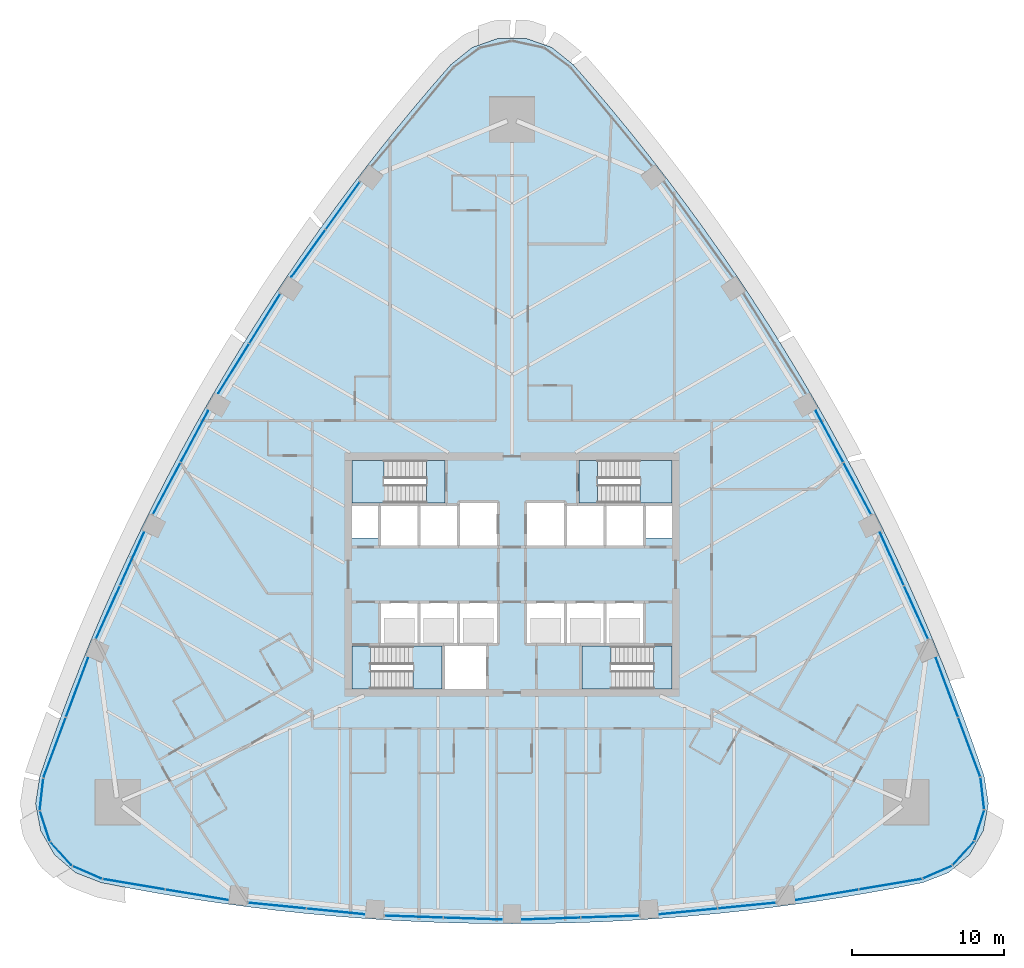
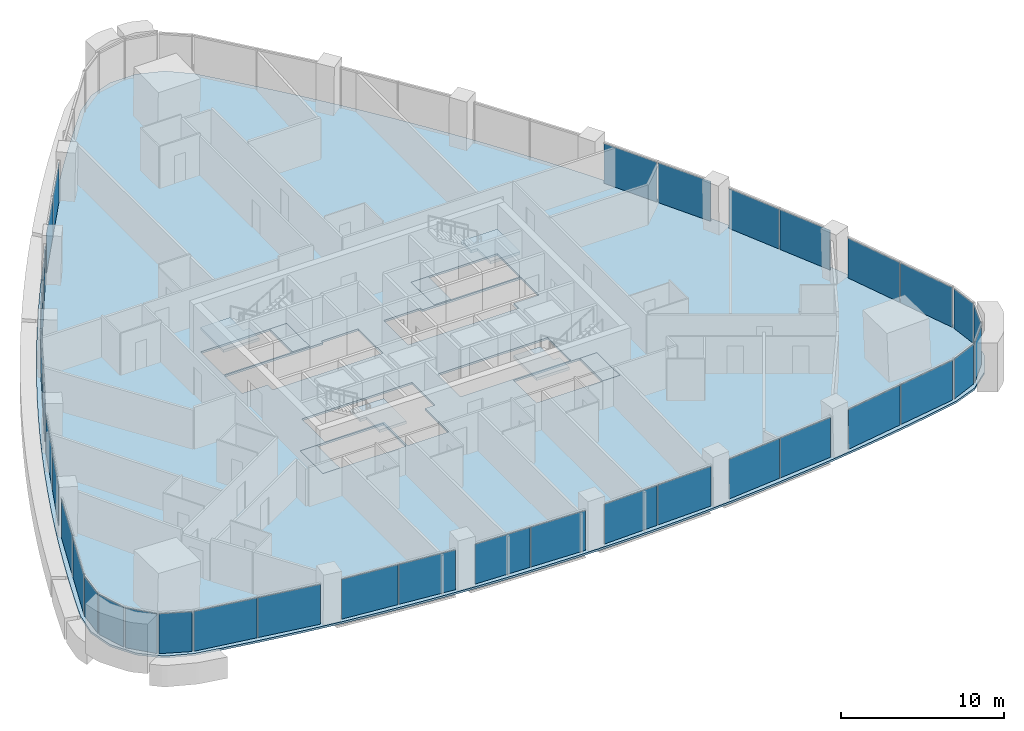
# One storey, part 8 of 17: 36 plates, 9 slabs, 26 elements without a shape of their own.
"""IFC4 building model written with IfcOpenShell, lengths in metres."""

from ifc_helpers import new_model, si_unit, direction, frame, origin, origin_2d, place, context, subcontext, project, spatial, polyline, rectangle, outline, extrude, material, layer, layer_set, type_object, element, aggregate, save


model = new_model("IFC4")

# Units and contexts
model_context = context("Model", 3, precision=1e-05, world=origin(), true_north=direction((0.0, 1.0)))
body_context = subcontext(model_context, "Body", "Model", "MODEL_VIEW")
ifc_project = project(units=[si_unit("LENGTHUNIT", "METRE"), si_unit("AREAUNIT", "SQUARE_METRE"), si_unit("VOLUMEUNIT", "CUBIC_METRE"), si_unit("PLANEANGLEUNIT", "RADIAN"), si_unit("MASSUNIT", "GRAM", prefix="KILO")], contexts=[model_context])

# Site, building, storey
site_placement = place(None, origin())
site = spatial("IfcSite", under=ifc_project, at=site_placement, CompositionType="ELEMENT")
building_placement = place(site_placement, origin())
building = spatial("IfcBuilding", under=site, at=building_placement, Name="Sierra Prisma Convention Tower", CompositionType="ELEMENT")
storey_placement = place(building_placement, frame((0.0, 0.0, 92.39990234375)))
storey = spatial("IfcBuildingStorey", under=building, at=storey_placement, Name="L19", CompositionType="ELEMENT", Elevation=92.39990234375)

# Curtain wall, plates
ifc_material_1 = material(Name="Aluminium and glass curtain wall", Category="aluminium")
ifc_layer_1 = layer(ifc_material_1, 0.179931640625)
ifc_layer_set_1 = layer_set([ifc_layer_1], Name="CW-1 Plain shaft curtain wall")
curtain_wall_type = type_object("IfcCurtainWallType", Name="CW-1 Plain shaft curtain wall", PredefinedType="NOTDEFINED", material=ifc_layer_set_1)
curtain_wall_1_placement = place(storey_placement, origin())
curtain_wall_1 = element("IfcCurtainWall", 1, at=curtain_wall_1_placement, inside=storey, type_object=curtain_wall_type, Name="CW-1 S1 L19", PredefinedType="NOTDEFINED")
ifc_material_2 = material(Name="Tinted glass bronze-grey IGU", Category="glass")
ifc_layer_2 = layer(ifc_material_2, 0.028076171875)
ifc_layer_set_2 = layer_set([ifc_layer_2], Name="CW-1 glass panel")
plate_type = type_object("IfcPlateType", Name="CW-1 glass panel", PredefinedType="CURTAIN_PANEL", material=ifc_layer_set_2)
plate_1_placement = place(storey_placement, frame((-24.80517578125, -20.31591796875, 0.0), z_axis=(0.0, 0.0, 1.0), x_axis=(0.98622285887, -0.165422104456, 0.0)))
plate_1 = element("IfcPlate", 2, at=plate_1_placement, type_object=plate_type, Name="CW-1 panel S1.1", PredefinedType="CURTAIN_PANEL", context=body_context, shape_type="SweptSolid", body=[
    extrude(rectangle(XDim=4.107177734375, YDim=0.028076171875, at=origin_2d()), origin(), (0.0, 0.0, 1.0), 2.97998046875),
])
plate_2_placement = place(storey_placement, frame((-20.685302734375, -21.0068359375, 0.0), z_axis=(0.0, 0.0, 1.0), x_axis=(0.98622285887, -0.165422104456, 0.0)))
plate_2 = element("IfcPlate", 3, at=plate_2_placement, type_object=plate_type, Name="CW-1 panel S1.2", PredefinedType="CURTAIN_PANEL", context=body_context, shape_type="SweptSolid", body=[
    extrude(rectangle(XDim=4.107177734375, YDim=0.028076171875, at=origin_2d()), origin(), (0.0, 0.0, 1.0), 2.97998046875),
])
aggregate(curtain_wall_1, [plate_1, plate_2])

curtain_wall_2_placement = place(storey_placement, origin())
curtain_wall_2 = element("IfcCurtainWall", 4, at=curtain_wall_2_placement, inside=storey, type_object=curtain_wall_type, Name="CW-1 S2 L19", PredefinedType="NOTDEFINED")
plate_3_placement = place(storey_placement, frame((-15.40478515625, -21.717041015625, 0.0), z_axis=(0.0, 0.0, 1.0), x_axis=(0.995032916032, -0.099546451535, 0.0)))
plate_3 = element("IfcPlate", 5, at=plate_3_placement, type_object=plate_type, Name="CW-1 panel S2.1", PredefinedType="CURTAIN_PANEL", context=body_context, shape_type="SweptSolid", body=[
    extrude(rectangle(XDim=3.78466796875, YDim=0.028076171875, at=origin_2d()), origin(), (0.0, 0.0, 1.0), 2.97998046875),
])
plate_4_placement = place(storey_placement, frame((-11.569091796875, -22.100830078125, 0.0), z_axis=(0.0, 0.0, 1.0), x_axis=(0.995032916032, -0.099546451535, 0.0)))
plate_4 = element("IfcPlate", 6, at=plate_4_placement, type_object=plate_type, Name="CW-1 panel S2.2", PredefinedType="CURTAIN_PANEL", context=body_context, shape_type="SweptSolid", body=[
    extrude(rectangle(XDim=3.78466796875, YDim=0.028076171875, at=origin_2d()), origin(), (0.0, 0.0, 1.0), 2.97998046875),
])
aggregate(curtain_wall_2, [plate_3, plate_4])

curtain_wall_3_placement = place(storey_placement, origin())
curtain_wall_3 = element("IfcCurtainWall", 7, at=curtain_wall_3_placement, inside=storey, type_object=curtain_wall_type, Name="CW-1 S3 L19", PredefinedType="NOTDEFINED")
plate_5_placement = place(storey_placement, frame((-6.437744140625, -22.441650390625, 0.0), z_axis=(0.0, 0.0, 1.0), x_axis=(0.999447695135, -0.033231080162, 0.0)))
plate_5 = element("IfcPlate", 8, at=plate_5_placement, type_object=plate_type, Name="CW-1 panel S3.1", PredefinedType="CURTAIN_PANEL", context=body_context, shape_type="SweptSolid", body=[
    extrude(rectangle(XDim=3.80078125, YDim=0.028076171875, at=origin_2d()), origin(), (0.0, 0.0, 1.0), 2.97998046875),
])
plate_6_placement = place(storey_placement, frame((-2.569091796875, -22.5703125, 0.0), z_axis=(0.0, 0.0, 1.0), x_axis=(0.999447695135, -0.033231080162, 0.0)))
plate_6 = element("IfcPlate", 9, at=plate_6_placement, type_object=plate_type, Name="CW-1 panel S3.2", PredefinedType="CURTAIN_PANEL", context=body_context, shape_type="SweptSolid", body=[
    extrude(rectangle(XDim=3.80078125, YDim=0.028076171875, at=origin_2d()), origin(), (0.0, 0.0, 1.0), 2.97998046875),
])
aggregate(curtain_wall_3, [plate_5, plate_6])

curtain_wall_4_placement = place(storey_placement, origin())
curtain_wall_4 = element("IfcCurtainWall", 10, at=curtain_wall_4_placement, inside=storey, type_object=curtain_wall_type, Name="CW-1 S4 L19", PredefinedType="NOTDEFINED")
plate_7_placement = place(storey_placement, frame((2.569091796875, -22.5703125, 0.0), z_axis=(0.0, 0.0, 1.0), x_axis=(0.999447695135, 0.033231080162, 0.0)))
plate_7 = element("IfcPlate", 11, at=plate_7_placement, type_object=plate_type, Name="CW-1 panel S4.1", PredefinedType="CURTAIN_PANEL", context=body_context, shape_type="SweptSolid", body=[
    extrude(rectangle(XDim=3.80078125, YDim=0.028076171875, at=origin_2d()), origin(), (0.0, 0.0, 1.0), 2.97998046875),
])
plate_8_placement = place(storey_placement, frame((6.437744140625, -22.441650390625, 0.0), z_axis=(0.0, 0.0, 1.0), x_axis=(0.999447695135, 0.033231080162, 0.0)))
plate_8 = element("IfcPlate", 12, at=plate_8_placement, type_object=plate_type, Name="CW-1 panel S4.2", PredefinedType="CURTAIN_PANEL", context=body_context, shape_type="SweptSolid", body=[
    extrude(rectangle(XDim=3.80078125, YDim=0.028076171875, at=origin_2d()), origin(), (0.0, 0.0, 1.0), 2.97998046875),
])
aggregate(curtain_wall_4, [plate_7, plate_8])

curtain_wall_5_placement = place(storey_placement, origin())
curtain_wall_5 = element("IfcCurtainWall", 13, at=curtain_wall_5_placement, inside=storey, type_object=curtain_wall_type, Name="CW-1 S5 L19", PredefinedType="NOTDEFINED")
plate_9_placement = place(storey_placement, frame((11.569091796875, -22.100830078125, 0.0), z_axis=(0.0, 0.0, 1.0), x_axis=(0.995032916032, 0.099546451535, 0.0)))
plate_9 = element("IfcPlate", 14, at=plate_9_placement, type_object=plate_type, Name="CW-1 panel S5.1", PredefinedType="CURTAIN_PANEL", context=body_context, shape_type="SweptSolid", body=[
    extrude(rectangle(XDim=3.78466796875, YDim=0.028076171875, at=origin_2d()), origin(), (0.0, 0.0, 1.0), 2.97998046875),
])
plate_10_placement = place(storey_placement, frame((15.40478515625, -21.717041015625, 0.0), z_axis=(0.0, 0.0, 1.0), x_axis=(0.995032916032, 0.099546451535, 0.0)))
plate_10 = element("IfcPlate", 15, at=plate_10_placement, type_object=plate_type, Name="CW-1 panel S5.2", PredefinedType="CURTAIN_PANEL", context=body_context, shape_type="SweptSolid", body=[
    extrude(rectangle(XDim=3.78466796875, YDim=0.028076171875, at=origin_2d()), origin(), (0.0, 0.0, 1.0), 2.97998046875),
])
aggregate(curtain_wall_5, [plate_9, plate_10])

curtain_wall_6_placement = place(storey_placement, origin())
curtain_wall_6 = element("IfcCurtainWall", 16, at=curtain_wall_6_placement, inside=storey, type_object=curtain_wall_type, Name="CW-1 S6 L19", PredefinedType="NOTDEFINED")
plate_11_placement = place(storey_placement, frame((20.685302734375, -21.0068359375, 0.0), z_axis=(0.0, 0.0, 1.0), x_axis=(0.98622285887, 0.165422104456, 0.0)))
plate_11 = element("IfcPlate", 17, at=plate_11_placement, type_object=plate_type, Name="CW-1 panel S6.1", PredefinedType="CURTAIN_PANEL", context=body_context, shape_type="SweptSolid", body=[
    extrude(rectangle(XDim=4.107177734375, YDim=0.028076171875, at=origin_2d()), origin(), (0.0, 0.0, 1.0), 2.97998046875),
])
plate_12_placement = place(storey_placement, frame((24.80517578125, -20.31591796875, 0.0), z_axis=(0.0, 0.0, 1.0), x_axis=(0.98622285887, 0.165422104456, 0.0)))
plate_12 = element("IfcPlate", 18, at=plate_12_placement, type_object=plate_type, Name="CW-1 panel S6.2", PredefinedType="CURTAIN_PANEL", context=body_context, shape_type="SweptSolid", body=[
    extrude(rectangle(XDim=4.107177734375, YDim=0.028076171875, at=origin_2d()), origin(), (0.0, 0.0, 1.0), 2.97998046875),
])
aggregate(curtain_wall_6, [plate_11, plate_12])

# Curtain wall, plate
curtain_wall_7_placement = place(storey_placement, origin())
curtain_wall_7 = element("IfcCurtainWall", 19, at=curtain_wall_7_placement, inside=storey, type_object=curtain_wall_type, Name="CW-1 SE1 L19", PredefinedType="NOTDEFINED")
plate_13_placement = place(storey_placement, frame((27.886962890625, -19.53369140625, 0.0), z_axis=(0.0, 0.0, 1.0), x_axis=(0.916575153045, 0.399862462379, 0.0)))
plate_13 = element("IfcPlate", 20, at=plate_13_placement, type_object=plate_type, Name="CW-1 panel SE1.1", PredefinedType="CURTAIN_PANEL", context=body_context, shape_type="SweptSolid", body=[
    extrude(rectangle(XDim=2.0146484375, YDim=0.028076171875, at=origin_2d()), origin(), (0.0, 0.0, 1.0), 2.97998046875),
])
aggregate(curtain_wall_7, [plate_13])

curtain_wall_8_placement = place(storey_placement, origin())
curtain_wall_8 = element("IfcCurtainWall", 21, at=curtain_wall_8_placement, inside=storey, type_object=curtain_wall_type, Name="CW-1 SE2 L19", PredefinedType="NOTDEFINED")
plate_14_placement = place(storey_placement, frame((29.597412109375, -18.30419921875, 0.0), z_axis=(0.0, 0.0, 1.0), x_axis=(0.6709893995, 0.741466941784, 0.0)))
plate_14 = element("IfcPlate", 22, at=plate_14_placement, type_object=plate_type, Name="CW-1 panel SE2.1", PredefinedType="CURTAIN_PANEL", context=body_context, shape_type="SweptSolid", body=[
    extrude(rectangle(XDim=2.0146484375, YDim=0.028076171875, at=origin_2d()), origin(), (0.0, 0.0, 1.0), 2.97998046875),
])
aggregate(curtain_wall_8, [plate_14])

curtain_wall_9_placement = place(storey_placement, origin())
curtain_wall_9 = element("IfcCurtainWall", 23, at=curtain_wall_9_placement, inside=storey, type_object=curtain_wall_type, Name="CW-1 SE3 L19", PredefinedType="NOTDEFINED")
plate_15_placement = place(storey_placement, frame((30.650634765625, -16.47998046875, 0.0), z_axis=(0.0, 0.0, 1.0), x_axis=(0.306634507902, 0.951827336529, 0.0)))
plate_15 = element("IfcPlate", 24, at=plate_15_placement, type_object=plate_type, Name="CW-1 panel SE3.1", PredefinedType="CURTAIN_PANEL", context=body_context, shape_type="SweptSolid", body=[
    extrude(rectangle(XDim=2.0146484375, YDim=0.028076171875, at=origin_2d()), origin(), (0.0, 0.0, 1.0), 2.97998046875),
])
aggregate(curtain_wall_9, [plate_15])

curtain_wall_10_placement = place(storey_placement, origin())
curtain_wall_10 = element("IfcCurtainWall", 25, at=curtain_wall_10_placement, inside=storey, type_object=curtain_wall_type, Name="CW-1 SE4 L19", PredefinedType="NOTDEFINED")
plate_16_placement = place(storey_placement, frame((30.8603515625, -14.384033203125, 0.0), z_axis=(0.0, 0.0, 1.0), x_axis=(-0.111996526083, 0.993708598204, 0.0)))
plate_16 = element("IfcPlate", 26, at=plate_16_placement, type_object=plate_type, Name="CW-1 panel SE4.1", PredefinedType="CURTAIN_PANEL", context=body_context, shape_type="SweptSolid", body=[
    extrude(rectangle(XDim=2.0146484375, YDim=0.028076171875, at=origin_2d()), origin(), (0.0, 0.0, 1.0), 2.97998046875),
])
aggregate(curtain_wall_10, [plate_16])

# Curtain wall, plates
curtain_wall_11_placement = place(storey_placement, origin())
curtain_wall_11 = element("IfcCurtainWall", 27, at=curtain_wall_11_placement, inside=storey, type_object=curtain_wall_type, Name="CW-1 NE1 L19", PredefinedType="NOTDEFINED")
plate_17_placement = place(storey_placement, frame((29.99658203125, -11.323974609375, 0.0), z_axis=(0.0, 0.0, 1.0), x_axis=(-0.349851684629, 0.936805101802, 0.0)))
plate_17 = element("IfcPlate", 28, at=plate_17_placement, type_object=plate_type, Name="CW-1 panel NE1.1", PredefinedType="CURTAIN_PANEL", context=body_context, shape_type="SweptSolid", body=[
    extrude(rectangle(XDim=4.107177734375, YDim=0.028076171875, at=origin_2d()), origin(), (0.0, 0.0, 1.0), 2.97998046875),
])
plate_18_placement = place(storey_placement, frame((28.53515625, -7.41064453125, 0.0), z_axis=(0.0, 0.0, 1.0), x_axis=(-0.349851684629, 0.936805101802, 0.0)))
plate_18 = element("IfcPlate", 29, at=plate_18_placement, type_object=plate_type, Name="CW-1 panel NE1.2", PredefinedType="CURTAIN_PANEL", context=body_context, shape_type="SweptSolid", body=[
    extrude(rectangle(XDim=4.107177734375, YDim=0.028076171875, at=origin_2d()), origin(), (0.0, 0.0, 1.0), 2.97998046875),
])
aggregate(curtain_wall_11, [plate_17, plate_18])

curtain_wall_12_placement = place(storey_placement, origin())
curtain_wall_12 = element("IfcCurtainWall", 30, at=curtain_wall_12_placement, inside=storey, type_object=curtain_wall_type, Name="CW-1 NE2 L19", PredefinedType="NOTDEFINED")
plate_19_placement = place(storey_placement, frame((26.509765625, -2.482421875, 0.0), z_axis=(0.0, 0.0, 1.0), x_axis=(-0.41130670213, 0.911497008653, 0.0)))
plate_19 = element("IfcPlate", 31, at=plate_19_placement, type_object=plate_type, Name="CW-1 panel NE2.1", PredefinedType="CURTAIN_PANEL", context=body_context, shape_type="SweptSolid", body=[
    extrude(rectangle(XDim=3.78466796875, YDim=0.028076171875, at=origin_2d()), origin(), (0.0, 0.0, 1.0), 2.97998046875),
])
plate_20_placement = place(storey_placement, frame((24.92431640625, 1.03125, 0.0), z_axis=(0.0, 0.0, 1.0), x_axis=(-0.41130670213, 0.911497008653, 0.0)))
plate_20 = element("IfcPlate", 32, at=plate_20_placement, type_object=plate_type, Name="CW-1 panel NE2.2", PredefinedType="CURTAIN_PANEL", context=body_context, shape_type="SweptSolid", body=[
    extrude(rectangle(XDim=3.78466796875, YDim=0.028076171875, at=origin_2d()), origin(), (0.0, 0.0, 1.0), 2.97998046875),
])
aggregate(curtain_wall_12, [plate_19, plate_20])

curtain_wall_13_placement = place(storey_placement, origin())
curtain_wall_13 = element("IfcCurtainWall", 33, at=curtain_wall_13_placement, inside=storey, type_object=curtain_wall_type, Name="CW-1 NE3 L19", PredefinedType="NOTDEFINED")
plate_21_placement = place(storey_placement, frame((22.654052734375, 5.6455078125, 0.0), z_axis=(0.0, 0.0, 1.0), x_axis=(-0.470944887952, 0.882162633822, 0.0)))
plate_21 = element("IfcPlate", 34, at=plate_21_placement, type_object=plate_type, Name="CW-1 panel NE3.1", PredefinedType="CURTAIN_PANEL", context=body_context, shape_type="SweptSolid", body=[
    extrude(rectangle(XDim=3.801025390625, YDim=0.028076171875, at=origin_2d()), origin(), (0.0, 0.0, 1.0), 2.97998046875),
])
plate_22_placement = place(storey_placement, frame((20.8310546875, 9.060302734375, 0.0), z_axis=(0.0, 0.0, 1.0), x_axis=(-0.470944887952, 0.882162633822, 0.0)))
plate_22 = element("IfcPlate", 35, at=plate_22_placement, type_object=plate_type, Name="CW-1 panel NE3.2", PredefinedType="CURTAIN_PANEL", context=body_context, shape_type="SweptSolid", body=[
    extrude(rectangle(XDim=3.801025390625, YDim=0.028076171875, at=origin_2d()), origin(), (0.0, 0.0, 1.0), 2.97998046875),
])
aggregate(curtain_wall_13, [plate_21, plate_22])

curtain_wall_14_placement = place(storey_placement, origin())
curtain_wall_14 = element("IfcCurtainWall", 36, at=curtain_wall_14_placement, inside=storey, type_object=curtain_wall_type, Name="CW-1 NW2 L19", PredefinedType="NOTDEFINED")
plate_23_placement = place(storey_placement, frame((-11.105224609375, 24.199462890625, 0.0), z_axis=(0.0, 0.0, 1.0), x_axis=(-0.583726213902, -0.811950557118, 0.0)))
plate_23 = element("IfcPlate", 37, at=plate_23_placement, type_object=plate_type, Name="CW-1 panel NW2.1", PredefinedType="CURTAIN_PANEL", context=body_context, shape_type="SweptSolid", body=[
    extrude(rectangle(XDim=3.78466796875, YDim=0.028076171875, at=origin_2d()), origin(), (0.0, 0.0, 1.0), 2.97998046875),
])
plate_24_placement = place(storey_placement, frame((-13.355224609375, 21.069580078125, 0.0), z_axis=(0.0, 0.0, 1.0), x_axis=(-0.583726213902, -0.811950557118, 0.0)))
plate_24 = element("IfcPlate", 38, at=plate_24_placement, type_object=plate_type, Name="CW-1 panel NW2.2", PredefinedType="CURTAIN_PANEL", context=body_context, shape_type="SweptSolid", body=[
    extrude(rectangle(XDim=3.78466796875, YDim=0.028076171875, at=origin_2d()), origin(), (0.0, 0.0, 1.0), 2.97998046875),
])
aggregate(curtain_wall_14, [plate_23, plate_24])

curtain_wall_15_placement = place(storey_placement, origin())
curtain_wall_15 = element("IfcCurtainWall", 39, at=curtain_wall_15_placement, inside=storey, type_object=curtain_wall_type, Name="CW-1 NW3 L19", PredefinedType="NOTDEFINED")
plate_25_placement = place(storey_placement, frame((-16.21630859375, 16.796142578125, 0.0), z_axis=(0.0, 0.0, 1.0), x_axis=(-0.528502807183, -0.84893155366, 0.0)))
plate_25 = element("IfcPlate", 40, at=plate_25_placement, type_object=plate_type, Name="CW-1 panel NW3.1", PredefinedType="CURTAIN_PANEL", context=body_context, shape_type="SweptSolid", body=[
    extrude(rectangle(XDim=3.80078125, YDim=0.028076171875, at=origin_2d()), origin(), (0.0, 0.0, 1.0), 2.97998046875),
])
plate_26_placement = place(storey_placement, frame((-18.261962890625, 13.510009765625, 0.0), z_axis=(0.0, 0.0, 1.0), x_axis=(-0.528502807183, -0.84893155366, 0.0)))
plate_26 = element("IfcPlate", 41, at=plate_26_placement, type_object=plate_type, Name="CW-1 panel NW3.2", PredefinedType="CURTAIN_PANEL", context=body_context, shape_type="SweptSolid", body=[
    extrude(rectangle(XDim=3.80078125, YDim=0.028076171875, at=origin_2d()), origin(), (0.0, 0.0, 1.0), 2.97998046875),
])
aggregate(curtain_wall_15, [plate_25, plate_26])

curtain_wall_16_placement = place(storey_placement, origin())
curtain_wall_16 = element("IfcCurtainWall", 42, at=curtain_wall_16_placement, inside=storey, type_object=curtain_wall_type, Name="CW-1 NW4 L19", PredefinedType="NOTDEFINED")
plate_27_placement = place(storey_placement, frame((-20.8310546875, 9.060302734375, 0.0), z_axis=(0.0, 0.0, 1.0), x_axis=(-0.470944887952, -0.882162633822, 0.0)))
plate_27 = element("IfcPlate", 43, at=plate_27_placement, type_object=plate_type, Name="CW-1 panel NW4.1", PredefinedType="CURTAIN_PANEL", context=body_context, shape_type="SweptSolid", body=[
    extrude(rectangle(XDim=3.80078125, YDim=0.028076171875, at=origin_2d()), origin(), (0.0, 0.0, 1.0), 2.97998046875),
])
plate_28_placement = place(storey_placement, frame((-22.65380859375, 5.6455078125, 0.0), z_axis=(0.0, 0.0, 1.0), x_axis=(-0.470944887952, -0.882162633822, 0.0)))
plate_28 = element("IfcPlate", 44, at=plate_28_placement, type_object=plate_type, Name="CW-1 panel NW4.2", PredefinedType="CURTAIN_PANEL", context=body_context, shape_type="SweptSolid", body=[
    extrude(rectangle(XDim=3.80078125, YDim=0.028076171875, at=origin_2d()), origin(), (0.0, 0.0, 1.0), 2.97998046875),
])
aggregate(curtain_wall_16, [plate_27, plate_28])

curtain_wall_17_placement = place(storey_placement, origin())
curtain_wall_17 = element("IfcCurtainWall", 45, at=curtain_wall_17_placement, inside=storey, type_object=curtain_wall_type, Name="CW-1 NW5 L19", PredefinedType="NOTDEFINED")
plate_29_placement = place(storey_placement, frame((-24.92431640625, 1.03125, 0.0), z_axis=(0.0, 0.0, 1.0), x_axis=(-0.41130670213, -0.911497008653, 0.0)))
plate_29 = element("IfcPlate", 46, at=plate_29_placement, type_object=plate_type, Name="CW-1 panel NW5.1", PredefinedType="CURTAIN_PANEL", context=body_context, shape_type="SweptSolid", body=[
    extrude(rectangle(XDim=3.78466796875, YDim=0.028076171875, at=origin_2d()), origin(), (0.0, 0.0, 1.0), 2.97998046875),
])
plate_30_placement = place(storey_placement, frame((-26.509765625, -2.482177734375, 0.0), z_axis=(0.0, 0.0, 1.0), x_axis=(-0.41130670213, -0.911497008653, 0.0)))
plate_30 = element("IfcPlate", 47, at=plate_30_placement, type_object=plate_type, Name="CW-1 panel NW5.2", PredefinedType="CURTAIN_PANEL", context=body_context, shape_type="SweptSolid", body=[
    extrude(rectangle(XDim=3.78466796875, YDim=0.028076171875, at=origin_2d()), origin(), (0.0, 0.0, 1.0), 2.97998046875),
])
aggregate(curtain_wall_17, [plate_29, plate_30])

curtain_wall_18_placement = place(storey_placement, origin())
curtain_wall_18 = element("IfcCurtainWall", 48, at=curtain_wall_18_placement, inside=storey, type_object=curtain_wall_type, Name="CW-1 NW6 L19", PredefinedType="NOTDEFINED")
plate_31_placement = place(storey_placement, frame((-28.53515625, -7.41064453125, 0.0), z_axis=(0.0, 0.0, 1.0), x_axis=(-0.349851684629, -0.936805101802, 0.0)))
plate_31 = element("IfcPlate", 49, at=plate_31_placement, type_object=plate_type, Name="CW-1 panel NW6.1", PredefinedType="CURTAIN_PANEL", context=body_context, shape_type="SweptSolid", body=[
    extrude(rectangle(XDim=4.107177734375, YDim=0.028076171875, at=origin_2d()), origin(), (0.0, 0.0, 1.0), 2.97998046875),
])
plate_32_placement = place(storey_placement, frame((-29.99658203125, -11.323974609375, 0.0), z_axis=(0.0, 0.0, 1.0), x_axis=(-0.349851684629, -0.936805101802, 0.0)))
plate_32 = element("IfcPlate", 50, at=plate_32_placement, type_object=plate_type, Name="CW-1 panel NW6.2", PredefinedType="CURTAIN_PANEL", context=body_context, shape_type="SweptSolid", body=[
    extrude(rectangle(XDim=4.107177734375, YDim=0.028076171875, at=origin_2d()), origin(), (0.0, 0.0, 1.0), 2.97998046875),
])
aggregate(curtain_wall_18, [plate_31, plate_32])

# Curtain wall, plate
curtain_wall_19_placement = place(storey_placement, origin())
curtain_wall_19 = element("IfcCurtainWall", 51, at=curtain_wall_19_placement, inside=storey, type_object=curtain_wall_type, Name="CW-1 SW1 L19", PredefinedType="NOTDEFINED")
plate_33_placement = place(storey_placement, frame((-30.8603515625, -14.384033203125, 0.0), z_axis=(0.0, 0.0, 1.0), x_axis=(-0.111996526083, -0.993708598204, 0.0)))
plate_33 = element("IfcPlate", 52, at=plate_33_placement, type_object=plate_type, Name="CW-1 panel SW1.1", PredefinedType="CURTAIN_PANEL", context=body_context, shape_type="SweptSolid", body=[
    extrude(rectangle(XDim=2.0146484375, YDim=0.028076171875, at=origin_2d()), origin(), (0.0, 0.0, 1.0), 2.97998046875),
])
aggregate(curtain_wall_19, [plate_33])

curtain_wall_20_placement = place(storey_placement, origin())
curtain_wall_20 = element("IfcCurtainWall", 53, at=curtain_wall_20_placement, inside=storey, type_object=curtain_wall_type, Name="CW-1 SW2 L19", PredefinedType="NOTDEFINED")
plate_34_placement = place(storey_placement, frame((-30.650634765625, -16.47998046875, 0.0), z_axis=(0.0, 0.0, 1.0), x_axis=(0.306634507902, -0.951827336529, 0.0)))
plate_34 = element("IfcPlate", 54, at=plate_34_placement, type_object=plate_type, Name="CW-1 panel SW2.1", PredefinedType="CURTAIN_PANEL", context=body_context, shape_type="SweptSolid", body=[
    extrude(rectangle(XDim=2.0146484375, YDim=0.028076171875, at=origin_2d()), origin(), (0.0, 0.0, 1.0), 2.97998046875),
])
aggregate(curtain_wall_20, [plate_34])

curtain_wall_21_placement = place(storey_placement, origin())
curtain_wall_21 = element("IfcCurtainWall", 55, at=curtain_wall_21_placement, inside=storey, type_object=curtain_wall_type, Name="CW-1 SW3 L19", PredefinedType="NOTDEFINED")
plate_35_placement = place(storey_placement, frame((-29.597412109375, -18.30419921875, 0.0), z_axis=(0.0, 0.0, 1.0), x_axis=(0.6709893995, -0.741466941784, 0.0)))
plate_35 = element("IfcPlate", 56, at=plate_35_placement, type_object=plate_type, Name="CW-1 panel SW3.1", PredefinedType="CURTAIN_PANEL", context=body_context, shape_type="SweptSolid", body=[
    extrude(rectangle(XDim=2.0146484375, YDim=0.028076171875, at=origin_2d()), origin(), (0.0, 0.0, 1.0), 2.97998046875),
])
aggregate(curtain_wall_21, [plate_35])

curtain_wall_22_placement = place(storey_placement, origin())
curtain_wall_22 = element("IfcCurtainWall", 57, at=curtain_wall_22_placement, inside=storey, type_object=curtain_wall_type, Name="CW-1 SW4 L19", PredefinedType="NOTDEFINED")
plate_36_placement = place(storey_placement, frame((-27.886962890625, -19.53369140625, 0.0), z_axis=(0.0, 0.0, 1.0), x_axis=(0.916575153045, -0.399862462379, 0.0)))
plate_36 = element("IfcPlate", 58, at=plate_36_placement, type_object=plate_type, Name="CW-1 panel SW4.1", PredefinedType="CURTAIN_PANEL", context=body_context, shape_type="SweptSolid", body=[
    extrude(rectangle(XDim=2.0146484375, YDim=0.028076171875, at=origin_2d()), origin(), (0.0, 0.0, 1.0), 2.97998046875),
])
aggregate(curtain_wall_22, [plate_36])

# Slab
ifc_material_3 = material(Name="Concrete C35/45", Category="concrete")
ifc_layer_3 = layer(ifc_material_3, 0.14990234375)
ifc_layer_set_3 = layer_set([ifc_layer_3], Name="Composite floor slab 150")
slab_type_1 = type_object("IfcSlabType", Name="Composite floor slab 150", PredefinedType="FLOOR", material=ifc_layer_set_3)
slab_1_placement = place(storey_placement, frame((0.0, 0.0, -0.14990234375)))
element("IfcSlab", 59, at=slab_1_placement, inside=storey, type_object=slab_type_1, Name="Floor slab L19 floor", PredefinedType="FLOOR", context=body_context, shape_type="SweptSolid", body=[
    extrude(outline(polyline([(-26.948974609375, -20.209716796875), (-25.047119140625, -20.580078125), (-23.139892578125, -20.923095703125), (-21.22802734375, -21.2392578125), (-19.31201171875, -21.52783203125), (-17.39208984375, -21.789306640625), (-15.468505859375, -22.0234375), (-13.541748046875, -22.22998046875), (-11.6123046875, -22.4091796875), (-9.6806640625, -22.560791015625), (-7.746826171875, -22.68505859375), (-5.8115234375, -22.781494140625), (-3.875, -22.8505859375), (-1.937744140625, -22.891845703125), (0.0, -22.90576171875), (1.937744140625, -22.891845703125), (3.875, -22.8505859375), (5.8115234375, -22.781494140625), (7.746826171875, -22.68505859375), (9.6806640625, -22.560791015625), (11.6123046875, -22.4091796875), (13.541748046875, -22.22998046875), (15.468505859375, -22.0234375), (17.39208984375, -21.789306640625), (19.31201171875, -21.52783203125), (21.22802734375, -21.2392578125), (23.139892578125, -20.923095703125), (25.047119140625, -20.580078125), (26.948974609375, -20.209716796875), (28.639892578125, -19.555908203125), (30.016845703125, -18.376953125), (30.923095703125, -16.806884765625), (31.255859375, -15.02490234375), (30.9765625, -13.233642578125), (30.34619140625, -11.4013671875), (29.68994140625, -9.578125), (29.0078125, -7.764404296875), (28.2998046875, -5.960693359375), (27.566162109375, -4.167236328125), (26.80712890625, -2.38427734375), (26.022705078125, -0.612548828125), (25.213134765625, 1.14794921875), (24.37841796875, 2.896728515625), (23.51904296875, 4.633544921875), (22.635009765625, 6.35791015625), (21.7265625, 8.0693359375), (20.793701171875, 9.767822265625), (19.8369140625, 11.452880859375), (18.856201171875, 13.1240234375), (17.8515625, 14.781005859375), (16.82373046875, 16.423583984375), (15.7724609375, 18.051513671875), (14.697998046875, 19.6640625), (13.600830078125, 21.26123046875), (12.48095703125, 22.842529296875), (11.338623046875, 24.40771484375), (10.174072265625, 25.95654296875), (8.98779296875, 27.48876953125), (7.779541015625, 29.003662109375), (6.550048828125, 30.50146484375), (5.29931640625, 31.9814453125), (4.027587890625, 33.443359375), (2.615966796875, 34.580810546875), (0.906494140625, 35.183837890625), (-0.906494140625, 35.183837890625), (-2.615966796875, 34.580810546875), (-4.027587890625, 33.443359375), (-5.29931640625, 31.9814453125), (-6.550048828125, 30.50146484375), (-7.779541015625, 29.003662109375), (-8.98779296875, 27.48876953125), (-10.174072265625, 25.95654296875), (-11.338623046875, 24.40771484375), (-12.48095703125, 22.842529296875), (-13.600830078125, 21.26123046875), (-14.697998046875, 19.6640625), (-15.7724609375, 18.051513671875), (-16.82373046875, 16.423583984375), (-17.8515625, 14.781005859375), (-18.856201171875, 13.1240234375), (-19.8369140625, 11.452880859375), (-20.793701171875, 9.767822265625), (-21.7265625, 8.0693359375), (-22.635009765625, 6.35791015625), (-23.51904296875, 4.633544921875), (-24.37841796875, 2.896728515625), (-25.213134765625, 1.14794921875), (-26.022705078125, -0.612548828125), (-26.80712890625, -2.38427734375), (-27.566162109375, -4.167236328125), (-28.2998046875, -5.960693359375), (-29.0078125, -7.764404296875), (-29.68994140625, -9.578125), (-30.34619140625, -11.4013671875), (-30.9765625, -13.233642578125), (-31.255859375, -15.02490234375), (-30.923095703125, -16.806884765625), (-30.016845703125, -18.376953125), (-28.639892578125, -19.555908203125), (-26.948974609375, -20.209716796875)]), holes=[polyline([(-4.60009765625, -7.5), (-10.5, -7.5), (-10.5, -4.699951171875), (-4.60009765625, -4.699951171875), (-4.60009765625, -7.5)]), polyline([(-8.699951171875, -4.60009765625), (-8.699951171875, -1.800048828125), (-6.10009765625, -1.800048828125), (-3.5, -1.800048828125), (-0.89990234375, -1.800048828125), (-0.89990234375, -4.60009765625), (-1.60009765625, -4.60009765625), (-1.60009765625, -7.5), (-4.5, -7.5), (-4.5, -4.60009765625), (-6.10009765625, -4.60009765625), (-8.699951171875, -4.60009765625)]), polyline([(-10.5, 4.60009765625), (-8.699951171875, 4.60009765625), (-6.10009765625, 4.60009765625), (-3.5, 4.60009765625), (-3.5, 4.800048828125), (-0.89990234375, 4.800048828125), (-0.89990234375, 1.800048828125), (-3.5, 1.800048828125), (-6.10009765625, 1.800048828125), (-8.699951171875, 1.800048828125), (-8.699951171875, 2.39990234375), (-10.5, 2.39990234375), (-10.5, 4.60009765625)]), polyline([(-4.39990234375, 4.699951171875), (-10.5, 4.699951171875), (-10.5, 7.5), (-4.39990234375, 7.5), (-4.39990234375, 4.699951171875)]), polyline([(10.5, -7.5), (4.60009765625, -7.5), (4.60009765625, -4.699951171875), (10.5, -4.699951171875), (10.5, -7.5)]), polyline([(6.10009765625, -1.800048828125), (8.699951171875, -1.800048828125), (8.699951171875, -4.60009765625), (6.10009765625, -4.60009765625), (3.5, -4.60009765625), (0.89990234375, -4.60009765625), (0.89990234375, -1.800048828125), (3.5, -1.800048828125), (6.10009765625, -1.800048828125)]), polyline([(10.5, 4.60009765625), (10.5, 2.39990234375), (8.699951171875, 2.39990234375), (8.699951171875, 1.800048828125), (6.10009765625, 1.800048828125), (3.5, 1.800048828125), (0.89990234375, 1.800048828125), (0.89990234375, 4.800048828125), (3.5, 4.800048828125), (3.5, 4.60009765625), (6.10009765625, 4.60009765625), (8.699951171875, 4.60009765625), (10.5, 4.60009765625)]), polyline([(4.39990234375, 4.699951171875), (4.39990234375, 7.5), (10.5, 7.5), (10.5, 4.699951171875), (4.39990234375, 4.699951171875)])]), origin(), (0.0, 0.0, 1.0), 0.14990234375),
])

# Stair, slab
ifc_material_4 = material(Name="Concrete C30/37", Category="concrete")
stair_type = type_object("IfcStairType", Name="Stair dog-leg 1200 RC", PredefinedType="HALF_TURN_STAIR", material=ifc_material_4)
stair_1_placement = place(storey_placement, origin())
stair_1 = element("IfcStair", 60, at=stair_1_placement, inside=storey, type_object=stair_type, Name="L19 S1", PredefinedType="HALF_TURN_STAIR")
ifc_material_5 = material(Name="Concrete C35/45", Category="concrete")
ifc_layer_4 = layer(ifc_material_5, 0.199951171875)
ifc_layer_set_4 = layer_set([ifc_layer_4], Name="Stair landing slab")
slab_type_2 = type_object("IfcSlabType", Name="Stair landing slab", PredefinedType="LANDING", material=ifc_layer_set_4)
slab_2_placement = place(storey_placement, frame((0.0, 0.0, 1.650146484375)))
slab_2 = element("IfcSlab", 61, at=slab_2_placement, type_object=slab_type_2, Name="S1 landing 1", PredefinedType="LANDING", context=body_context, shape_type="SweptSolid", body=[
    extrude(outline(polyline([(-4.60009765625, -4.699951171875), (-4.60009765625, -7.5), (-6.501953125, -7.5), (-6.501953125, -5.89990234375), (-6.949951171875, -5.89990234375), (-6.949951171875, -4.699951171875), (-4.60009765625, -4.699951171875)])), origin(), (0.0, 0.0, 1.0), 0.199951171875),
])
aggregate(stair_1, [slab_2])

# Slab
slab_3_placement = place(storey_placement, frame((0.0, 0.0, -0.199951171875)))
element("IfcSlab", 62, at=slab_3_placement, inside=storey, type_object=slab_type_2, Name="S1 floor landing L19", PredefinedType="LANDING", context=body_context, shape_type="SweptSolid", body=[
    extrude(outline(polyline([(-10.5, -7.5), (-9.298095703125, -7.5), (-9.298095703125, -4.699951171875), (-10.5, -4.699951171875), (-10.5, -7.5)])), origin(), (0.0, 0.0, 1.0), 0.199951171875),
])

# Stair, slab
stair_2_placement = place(storey_placement, origin())
stair_2 = element("IfcStair", 63, at=stair_2_placement, inside=storey, type_object=stair_type, Name="L19 S2", PredefinedType="HALF_TURN_STAIR")
slab_4_placement = place(storey_placement, frame((0.0, 0.0, 1.650146484375)))
slab_4 = element("IfcSlab", 64, at=slab_4_placement, type_object=slab_type_2, Name="S2 landing 1", PredefinedType="LANDING", context=body_context, shape_type="SweptSolid", body=[
    extrude(outline(polyline([(6.949951171875, -6.300048828125), (6.949951171875, -7.5), (4.60009765625, -7.5), (4.60009765625, -4.699951171875), (6.501953125, -4.699951171875), (6.501953125, -6.300048828125), (6.949951171875, -6.300048828125)])), origin(), (0.0, 0.0, 1.0), 0.199951171875),
])
aggregate(stair_2, [slab_4])

# Slab
slab_5_placement = place(storey_placement, frame((0.0, 0.0, -0.199951171875)))
element("IfcSlab", 65, at=slab_5_placement, inside=storey, type_object=slab_type_2, Name="S2 floor landing L19", PredefinedType="LANDING", context=body_context, shape_type="SweptSolid", body=[
    extrude(outline(polyline([(10.5, -4.699951171875), (9.298095703125, -4.699951171875), (9.298095703125, -7.5), (10.5, -7.5), (10.5, -4.699951171875)])), origin(), (0.0, 0.0, 1.0), 0.199951171875),
])

# Stair, slab
stair_3_placement = place(storey_placement, origin())
stair_3 = element("IfcStair", 66, at=stair_3_placement, inside=storey, type_object=stair_type, Name="L19 S3", PredefinedType="HALF_TURN_STAIR")
slab_6_placement = place(storey_placement, frame((0.0, 0.0, 1.650146484375)))
slab_6 = element("IfcSlab", 67, at=slab_6_placement, type_object=slab_type_2, Name="S3 landing 1", PredefinedType="LANDING", context=body_context, shape_type="SweptSolid", body=[
    extrude(outline(polyline([(-7.949951171875, 5.89990234375), (-7.949951171875, 4.699951171875), (-10.5, 4.699951171875), (-10.5, 7.5), (-8.39794921875, 7.5), (-8.39794921875, 5.89990234375), (-7.949951171875, 5.89990234375)])), origin(), (0.0, 0.0, 1.0), 0.199951171875),
])
aggregate(stair_3, [slab_6])

# Slab
slab_7_placement = place(storey_placement, frame((0.0, 0.0, -0.199951171875)))
element("IfcSlab", 68, at=slab_7_placement, inside=storey, type_object=slab_type_2, Name="S3 floor landing L19", PredefinedType="LANDING", context=body_context, shape_type="SweptSolid", body=[
    extrude(outline(polyline([(-4.39990234375, 7.5), (-5.60205078125, 7.5), (-5.60205078125, 4.699951171875), (-4.39990234375, 4.699951171875), (-4.39990234375, 7.5)])), origin(), (0.0, 0.0, 1.0), 0.199951171875),
])

# Stair, slab
stair_4_placement = place(storey_placement, origin())
stair_4 = element("IfcStair", 69, at=stair_4_placement, inside=storey, type_object=stair_type, Name="L19 S4", PredefinedType="HALF_TURN_STAIR")
slab_8_placement = place(storey_placement, frame((0.0, 0.0, 1.650146484375)))
slab_8 = element("IfcSlab", 70, at=slab_8_placement, type_object=slab_type_2, Name="S4 landing 1", PredefinedType="LANDING", context=body_context, shape_type="SweptSolid", body=[
    extrude(outline(polyline([(10.5, 7.5), (10.5, 4.699951171875), (8.39794921875, 4.699951171875), (8.39794921875, 6.300048828125), (7.949951171875, 6.300048828125), (7.949951171875, 7.5), (10.5, 7.5)])), origin(), (0.0, 0.0, 1.0), 0.199951171875),
])
aggregate(stair_4, [slab_8])

# Slab
slab_9_placement = place(storey_placement, frame((0.0, 0.0, -0.199951171875)))
element("IfcSlab", 71, at=slab_9_placement, inside=storey, type_object=slab_type_2, Name="S4 floor landing L19", PredefinedType="LANDING", context=body_context, shape_type="SweptSolid", body=[
    extrude(outline(polyline([(4.39990234375, 4.699951171875), (5.60205078125, 4.699951171875), (5.60205078125, 7.5), (4.39990234375, 7.5), (4.39990234375, 4.699951171875)])), origin(), (0.0, 0.0, 1.0), 0.199951171875),
])

save(model, "model.ifc")
